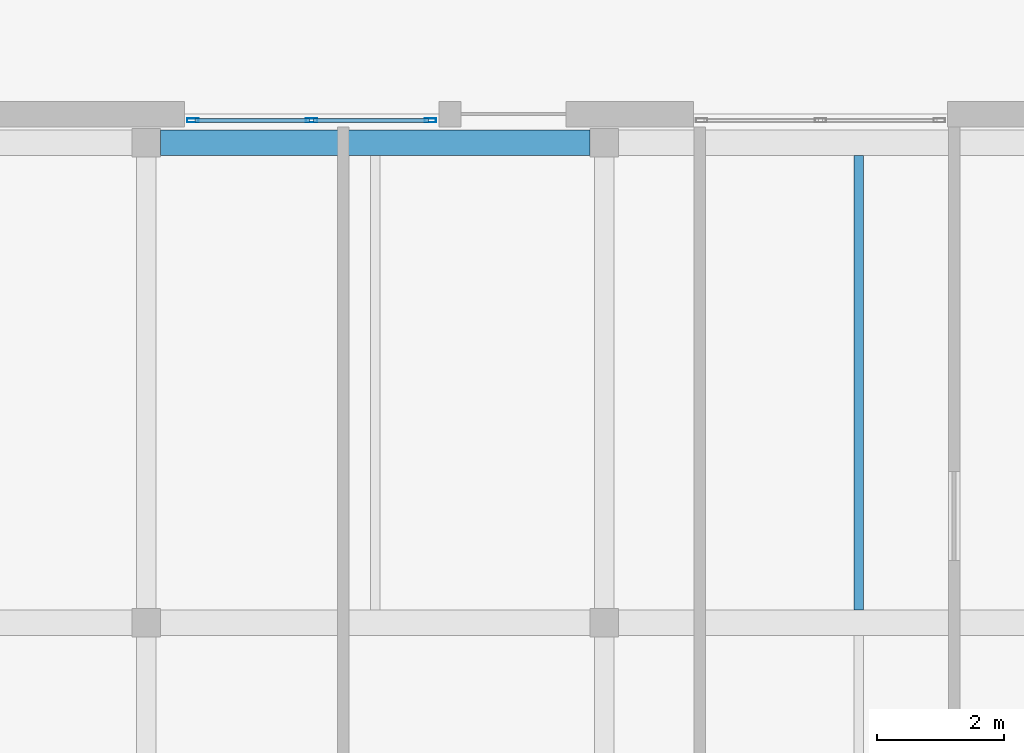
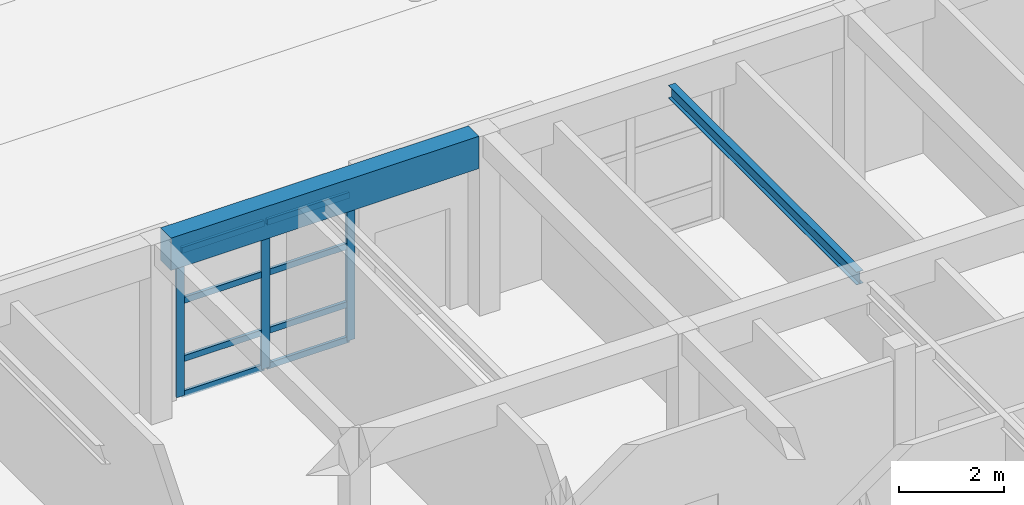
# One storey, part 16 of 114: 11 members, 2 beams, 1 element without a shape of its own.
"""IFC4 building model written with IfcOpenShell, lengths in metres."""

from ifc_helpers import new_model, si_unit, direction, frame, origin, origin_2d, place, context, subcontext, project, spatial, rectangle, hollow_rectangle, i_section, extrude, material, layer, layer_set, material_profile, profile_set, type_object, element, aggregate, save


model = new_model("IFC4")

# Units and contexts
model_context = context("Model", 3, precision=1e-05, world=origin(), true_north=direction((0.0, 1.0)))
body_context = subcontext(model_context, "Body", "Model", "MODEL_VIEW")
ifc_project = project(units=[si_unit("LENGTHUNIT", "METRE"), si_unit("AREAUNIT", "SQUARE_METRE"), si_unit("VOLUMEUNIT", "CUBIC_METRE"), si_unit("PLANEANGLEUNIT", "RADIAN"), si_unit("MASSUNIT", "GRAM", prefix="KILO")], contexts=[model_context])

# Site, building, storey
site_placement = place(None, origin())
site = spatial("IfcSite", under=ifc_project, at=site_placement, CompositionType="ELEMENT")
building_placement = place(site_placement, origin())
building = spatial("IfcBuilding", under=site, at=building_placement, Name="Keldmere Railside Commons", CompositionType="ELEMENT")
storey_placement = place(building_placement, origin())
storey = spatial("IfcBuildingStorey", under=building, at=storey_placement, Name="L00", CompositionType="ELEMENT", Elevation=0.0)

# Beam
ifc_material_1 = material(Name="Concrete H-35 (C35/45)", Category="concrete")
ifc_material_profile_1 = material_profile(ifc_material_1, rectangle(XDim=0.39990234375, YDim=0.75, at=origin_2d()), Name="RC-400x750")
ifc_profile_set_1 = profile_set([ifc_material_profile_1], Name="Concrete H-35 (C35/45)")
beam_type_1 = type_object("IfcBeamType", Name="Civic Frame RC Girder 400x750", PredefinedType="BEAM", material=ifc_profile_set_1)
beam_1_placement = place(storey_placement, frame((17.02490234375, 39.550048828125, 3.784912109375), z_axis=(1.0, 0.0, 0.0), x_axis=(0.0, 1.0, 0.0)))
element("IfcBeam", 1, at=beam_1_placement, inside=storey, type_object=beam_type_1, Name="BG-2 BM-L00-0450", PredefinedType="BEAM", context=body_context, shape_type="SweptSolid", body=[
    extrude(rectangle(XDim=0.39990234375, YDim=0.75, at=origin_2d()), origin(), (0.0, 0.0, 1.0), 6.75),
])

# Curtain wall, members
ifc_material_2 = material(Name="Thermally Broken Aluminium", Category="aluminium")
ifc_layer = layer(ifc_material_2, 0.159912109375, Name="Nursery Courtyard Playroom CW 3800x3400")
ifc_layer_set = layer_set([ifc_layer], Name="Thermally Broken Aluminium")
curtain_wall_type = type_object("IfcCurtainWallType", Name="Nursery Courtyard Playroom CW 3800x3400", PredefinedType="NOTDEFINED", material=ifc_layer_set)
curtain_wall_placement = place(storey_placement, origin())
curtain_wall = element("IfcCurtainWall", 2, at=curtain_wall_placement, inside=storey, type_object=curtain_wall_type, Name="CW-08 CW-L00-199", PredefinedType="NOTDEFINED")
ifc_material_profile_2 = material_profile(ifc_material_2, hollow_rectangle(XDim=0.06494140625, YDim=0.179931640625, WallThickness=0.00390625, at=origin_2d()), Name="ALU-MULL-65x180")
ifc_profile_set_2 = profile_set([ifc_material_profile_2], Name="Thermally Broken Aluminium")
member_type_1 = type_object("IfcMemberType", Name="Civic Tall Curtain Wall Mullion 65x180", PredefinedType="MULLION", material=ifc_profile_set_2)
member_1_placement = place(storey_placement, frame((17.532470703125, 39.89990234375, 0.0), z_axis=(0.0, 0.0, 1.0), x_axis=(0.0, 1.0, 0.0)))
member_1 = element("IfcMember", 3, at=member_1_placement, type_object=member_type_1, Name="CW-08 mullion 1", PredefinedType="MULLION", context=body_context, shape_type="SweptSolid", body=[
    extrude(hollow_rectangle(XDim=0.06494140625, YDim=0.179931640625, WallThickness=0.00390625, at=origin_2d()), origin(), (0.0, 0.0, 1.0), 3.39990234375),
])
member_2_placement = place(storey_placement, frame((19.39990234375, 39.89990234375, 0.0), z_axis=(0.0, 0.0, 1.0), x_axis=(0.0, 1.0, 0.0)))
member_2 = element("IfcMember", 4, at=member_2_placement, type_object=member_type_1, Name="CW-08 mullion 2", PredefinedType="MULLION", context=body_context, shape_type="SweptSolid", body=[
    extrude(hollow_rectangle(XDim=0.06494140625, YDim=0.179931640625, WallThickness=0.00390625, at=origin_2d()), origin(), (0.0, 0.0, 1.0), 3.39990234375),
])
member_3_placement = place(storey_placement, frame((21.267578125, 39.89990234375, 0.0), z_axis=(0.0, 0.0, 1.0), x_axis=(0.0, 1.0, 0.0)))
member_3 = element("IfcMember", 5, at=member_3_placement, type_object=member_type_1, Name="CW-08 mullion 3", PredefinedType="MULLION", context=body_context, shape_type="SweptSolid", body=[
    extrude(hollow_rectangle(XDim=0.06494140625, YDim=0.179931640625, WallThickness=0.00390625, at=origin_2d()), origin(), (0.0, 0.0, 1.0), 3.39990234375),
])
ifc_material_profile_3 = material_profile(ifc_material_2, hollow_rectangle(XDim=0.06494140625, YDim=0.139892578125, WallThickness=0.00390625, at=origin_2d()), Name="ALU-TRAN-65x140")
ifc_profile_set_3 = profile_set([ifc_material_profile_3], Name="Thermally Broken Aluminium")
member_type_2 = type_object("IfcMemberType", Name="Civic Tall Curtain Wall Transom 65x140", PredefinedType="USERDEFINED", material=ifc_profile_set_3)
member_4_placement = place(storey_placement, frame((17.56494140625, 39.89990234375, 0.032470703125), z_axis=(1.0, 0.0, 0.0), x_axis=(0.0, 1.0, 0.0)))
member_4 = element("IfcMember", 6, at=member_4_placement, type_object=member_type_2, Name="CW-08 transom 1.1", ObjectType="TRANSOM", PredefinedType="USERDEFINED", context=body_context, shape_type="SweptSolid", body=[
    extrude(hollow_rectangle(XDim=0.06494140625, YDim=0.139892578125, WallThickness=0.00390625, at=origin_2d()), origin(), (0.0, 0.0, 1.0), 1.802490234375),
])
member_5_placement = place(storey_placement, frame((17.56494140625, 39.89990234375, 0.85009765625), z_axis=(1.0, 0.0, 0.0), x_axis=(0.0, 1.0, 0.0)))
member_5 = element("IfcMember", 7, at=member_5_placement, type_object=member_type_2, Name="CW-08 transom 1.2", ObjectType="TRANSOM", PredefinedType="USERDEFINED", context=body_context, shape_type="SweptSolid", body=[
    extrude(hollow_rectangle(XDim=0.06494140625, YDim=0.139892578125, WallThickness=0.00390625, at=origin_2d()), origin(), (0.0, 0.0, 1.0), 1.802490234375),
])
member_6_placement = place(storey_placement, frame((17.56494140625, 39.89990234375, 2.199951171875), z_axis=(1.0, 0.0, 0.0), x_axis=(0.0, 1.0, 0.0)))
member_6 = element("IfcMember", 8, at=member_6_placement, type_object=member_type_2, Name="CW-08 transom 1.3", ObjectType="TRANSOM", PredefinedType="USERDEFINED", context=body_context, shape_type="SweptSolid", body=[
    extrude(hollow_rectangle(XDim=0.06494140625, YDim=0.139892578125, WallThickness=0.00390625, at=origin_2d()), origin(), (0.0, 0.0, 1.0), 1.802490234375),
])
member_7_placement = place(storey_placement, frame((17.56494140625, 39.89990234375, 3.367431640625), z_axis=(1.0, 0.0, 0.0), x_axis=(0.0, 1.0, 0.0)))
member_7 = element("IfcMember", 9, at=member_7_placement, type_object=member_type_2, Name="CW-08 transom 1.4", ObjectType="TRANSOM", PredefinedType="USERDEFINED", context=body_context, shape_type="SweptSolid", body=[
    extrude(hollow_rectangle(XDim=0.06494140625, YDim=0.139892578125, WallThickness=0.00390625, at=origin_2d()), origin(), (0.0, 0.0, 1.0), 1.802490234375),
])
member_8_placement = place(storey_placement, frame((19.4326171875, 39.89990234375, 0.032470703125), z_axis=(1.0, 0.0, 0.0), x_axis=(0.0, 1.0, 0.0)))
member_8 = element("IfcMember", 10, at=member_8_placement, type_object=member_type_2, Name="CW-08 transom 2.1", ObjectType="TRANSOM", PredefinedType="USERDEFINED", context=body_context, shape_type="SweptSolid", body=[
    extrude(hollow_rectangle(XDim=0.06494140625, YDim=0.139892578125, WallThickness=0.00390625, at=origin_2d()), origin(), (0.0, 0.0, 1.0), 1.802490234375),
])
member_9_placement = place(storey_placement, frame((19.4326171875, 39.89990234375, 0.85009765625), z_axis=(1.0, 0.0, 0.0), x_axis=(0.0, 1.0, 0.0)))
member_9 = element("IfcMember", 11, at=member_9_placement, type_object=member_type_2, Name="CW-08 transom 2.2", ObjectType="TRANSOM", PredefinedType="USERDEFINED", context=body_context, shape_type="SweptSolid", body=[
    extrude(hollow_rectangle(XDim=0.06494140625, YDim=0.139892578125, WallThickness=0.00390625, at=origin_2d()), origin(), (0.0, 0.0, 1.0), 1.802490234375),
])
member_10_placement = place(storey_placement, frame((19.4326171875, 39.89990234375, 2.199951171875), z_axis=(1.0, 0.0, 0.0), x_axis=(0.0, 1.0, 0.0)))
member_10 = element("IfcMember", 12, at=member_10_placement, type_object=member_type_2, Name="CW-08 transom 2.3", ObjectType="TRANSOM", PredefinedType="USERDEFINED", context=body_context, shape_type="SweptSolid", body=[
    extrude(hollow_rectangle(XDim=0.06494140625, YDim=0.139892578125, WallThickness=0.00390625, at=origin_2d()), origin(), (0.0, 0.0, 1.0), 1.802490234375),
])
member_11_placement = place(storey_placement, frame((19.4326171875, 39.89990234375, 3.367431640625), z_axis=(1.0, 0.0, 0.0), x_axis=(0.0, 1.0, 0.0)))
member_11 = element("IfcMember", 13, at=member_11_placement, type_object=member_type_2, Name="CW-08 transom 2.4", ObjectType="TRANSOM", PredefinedType="USERDEFINED", context=body_context, shape_type="SweptSolid", body=[
    extrude(hollow_rectangle(XDim=0.06494140625, YDim=0.139892578125, WallThickness=0.00390625, at=origin_2d()), origin(), (0.0, 0.0, 1.0), 1.802490234375),
])
aggregate(curtain_wall, [member_1, member_2, member_3, member_4, member_5, member_6, member_7, member_8, member_9, member_10, member_11])

# Beam
ifc_material_3 = material(Name="Steel F-36 (S355)", Category="steel")
ifc_material_profile_4 = material_profile(ifc_material_3, i_section(OverallWidth=0.14990234375, OverallDepth=0.300048828125, WebThickness=0.007080078125, FlangeThickness=0.0107421875, at=origin_2d()), Name="IPE-300")
ifc_profile_set_4 = profile_set([ifc_material_profile_4], Name="Steel F-36 (S355)")
beam_type_2 = type_object("IfcBeamType", Name="Podium & Arcade Steel Joist IPE300", PredefinedType="JOIST", material=ifc_profile_set_4)
beam_2_placement = place(storey_placement, frame((28.0, 32.199951171875, 3.739990234375), z_axis=(0.0, 1.0, 0.0), x_axis=(-1.0, 0.0, 0.0)))
element("IfcBeam", 14, at=beam_2_placement, inside=storey, type_object=beam_type_2, Name="JST-1 BM-L00-0693", PredefinedType="JOIST", context=body_context, shape_type="SweptSolid", body=[
    extrude(i_section(OverallWidth=0.14990234375, OverallDepth=0.300048828125, WebThickness=0.007080078125, FlangeThickness=0.0107421875, at=origin_2d()), origin(), (0.0, 0.0, 1.0), 7.150146484375),
])

save(model, "model.ifc")
